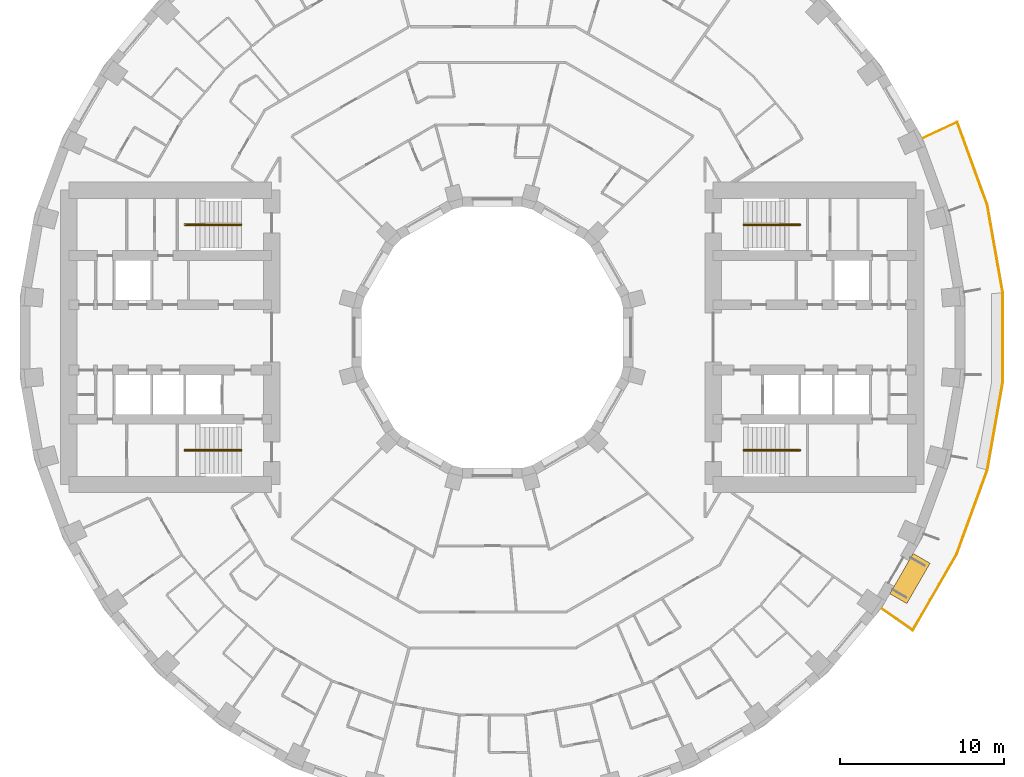
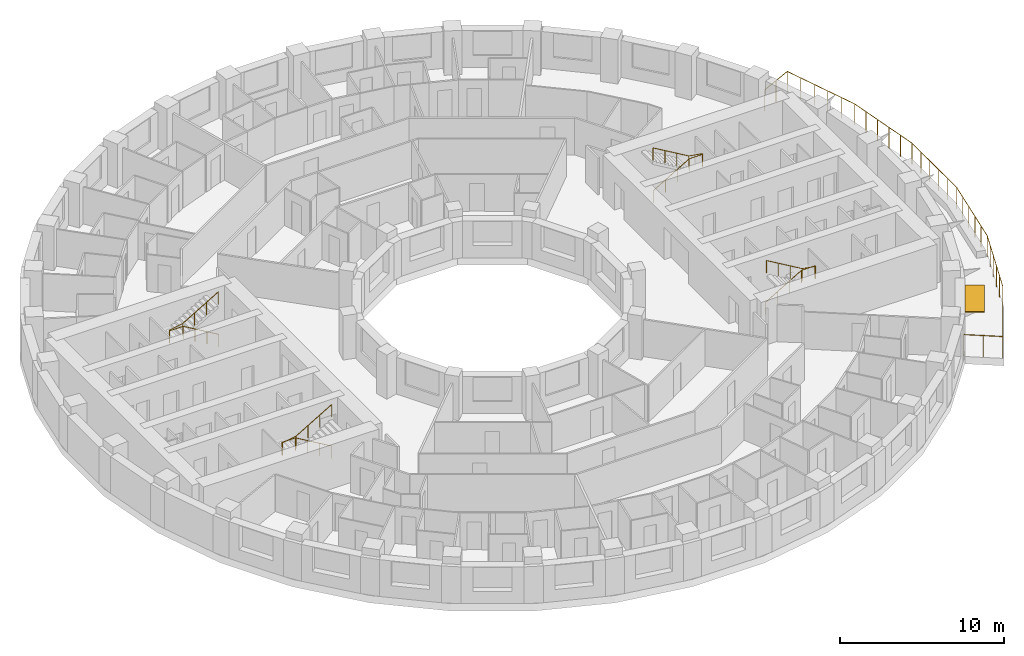
# One storey, part 14 of 14: 5 railings, 1 shading device.
"""IFC4 building model written with IfcOpenShell, lengths in metres."""

from ifc_helpers import new_model, si_unit, direction, frame, origin, origin_2d, place, context, subcontext, project, spatial, rectangle, circle, extrude, material, layer, layer_set, type_object, element, save


model = new_model("IFC4")

# Units and contexts
model_context = context("Model", 3, precision=1e-05, world=origin(), true_north=direction((0.0, 1.0)))
body_context = subcontext(model_context, "Body", "Model", "MODEL_VIEW")
ifc_project = project(units=[si_unit("LENGTHUNIT", "METRE"), si_unit("AREAUNIT", "SQUARE_METRE"), si_unit("VOLUMEUNIT", "CUBIC_METRE"), si_unit("PLANEANGLEUNIT", "RADIAN"), si_unit("MASSUNIT", "GRAM", prefix="KILO")], contexts=[model_context])

# Site, building, storey
site_placement = place(None, origin())
site = spatial("IfcSite", under=ifc_project, at=site_placement, CompositionType="ELEMENT")
building_placement = place(site_placement, origin())
building = spatial("IfcBuilding", under=site, at=building_placement, Name="Saqina Gate Tower", CompositionType="ELEMENT")
storey_placement = place(building_placement, frame((0.0, 0.0, 46.10009765625)))
storey = spatial("IfcBuildingStorey", under=building, at=storey_placement, Name="L12", CompositionType="ELEMENT", Elevation=46.10009765625)

# Shading device
ifc_material_1 = material(Name="Aluminium and fabric awning", Category="aluminium")
ifc_layer = layer(ifc_material_1, 0.050048828125)
ifc_layer_set = layer_set([ifc_layer], Name="AW-TERRACE")
shading_device_type = type_object("IfcShadingDeviceType", Name="AW-TERRACE", PredefinedType="AWNING", material=ifc_layer_set)
shading_device_placement = place(storey_placement, frame((25.538818359375, -14.744873046875, 2.52490234375), z_axis=(0.0, 0.0, 1.0), x_axis=(0.5, 0.866025403784, 0.0)))
element("IfcShadingDevice", 1, at=shading_device_placement, inside=storey, type_object=shading_device_type, Name="Terrace awning L12 facet 33", PredefinedType="AWNING", context=body_context, shape_type="SweptSolid", body=[
    extrude(rectangle(XDim=2.845703125, YDim=1.199951171875, at=origin_2d()), origin(), (0.0, 0.0, 1.0), 0.050048828125),
])

# Railings
ifc_material_2 = material(Name="Stainless steel", Category="steel")
railing_type_1 = type_object("IfcRailingType", Name="RL-TERRACE", PredefinedType="GUARDRAIL", material=ifc_material_2)
railing_1_placement = place(storey_placement, frame((23.752197265625, -16.53369140625, 0.0)))
element("IfcRailing", 2, at=railing_1_placement, inside=storey, type_object=railing_type_1, Name="Terrace guard L12", PredefinedType="GUARDRAIL", context=body_context, shape_type="SweptSolid", body=[
    extrude(circle(Radius=0.02392578125, at=origin_2d()), frame((0.0, 0.0, 1.576171875), z_axis=(0.819111872113, -0.573633803889, 0.0), x_axis=(0.573633803889, 0.819111872113, 0.0)), (0.0, 0.0, 1.0), 2.388916015625),
    extrude(circle(Radius=0.02392578125, at=origin_2d()), frame((1.956787109375, -1.370361328125, 1.576171875), z_axis=(0.49885293236, 0.866686651493, 0.0), x_axis=(-0.866686651493, 0.49885293236, 0.0)), (0.0, 0.0, 1.0), 5.381591796875),
    extrude(circle(Radius=0.02392578125, at=origin_2d()), frame((4.641357421875, 3.293701171875, 1.576171875), z_axis=(0.342048157644, 0.939682423935, 0.0), x_axis=(-0.939682423935, 0.342048157644, 0.0)), (0.0, 0.0, 1.0), 5.4609375),
    extrude(circle(Radius=0.02392578125, at=origin_2d()), frame((6.50927734375, 8.42529296875, 1.576171875), z_axis=(0.17364250929, 0.984808752483, 0.0), x_axis=(-0.984808752483, 0.17364250929, 0.0)), (0.0, 0.0, 1.0), 5.4609375),
    extrude(circle(Radius=0.02392578125, at=origin_2d()), frame((7.45751953125, 13.80322265625, 1.576171875), z_axis=(0.0, 1.0, 0.0), x_axis=(-1.0, 0.0, 0.0)), (0.0, 0.0, 1.0), 5.4609375),
    extrude(circle(Radius=0.02392578125, at=origin_2d()), frame((7.45751953125, 19.26416015625, 1.576171875), z_axis=(-0.17364250929, 0.984808752483, 0.0), x_axis=(-0.984808752483, -0.17364250929, 0.0)), (0.0, 0.0, 1.0), 5.4609375),
    extrude(circle(Radius=0.02392578125, at=origin_2d()), frame((6.50927734375, 24.64208984375, 1.576171875), z_axis=(-0.340810350952, 0.940132067682, 0.0), x_axis=(-0.940132067682, -0.340810350952, 0.0)), (0.0, 0.0, 1.0), 5.38134765625),
    extrude(circle(Radius=0.02392578125, at=origin_2d()), frame((4.67529296875, 29.701171875, 1.576171875), z_axis=(-0.906355396087, -0.422516148785, 0.0), x_axis=(0.422516148785, -0.906355396087, 0.0)), (0.0, 0.0, 1.0), 2.388671875),
    extrude(circle(Radius=0.02099609375, at=origin_2d()), origin(), (0.0, 0.0, 1.0), 1.552001953125),
    extrude(circle(Radius=0.02099609375, at=origin_2d()), frame((0.978515625, -0.68505859375, 0.0)), (0.0, 0.0, 1.0), 1.552001953125),
    extrude(circle(Radius=0.02099609375, at=origin_2d()), frame((1.956787109375, -1.370361328125, 0.0)), (0.0, 0.0, 1.0), 1.552001953125),
    extrude(circle(Radius=0.02099609375, at=origin_2d()), frame((2.49365234375, -0.4375, 0.0)), (0.0, 0.0, 1.0), 1.552001953125),
    extrude(circle(Radius=0.02099609375, at=origin_2d()), frame((3.030517578125, 0.495361328125, 0.0)), (0.0, 0.0, 1.0), 1.552001953125),
    extrude(circle(Radius=0.02099609375, at=origin_2d()), frame((3.567626953125, 1.427978515625, 0.0)), (0.0, 0.0, 1.0), 1.552001953125),
    extrude(circle(Radius=0.02099609375, at=origin_2d()), frame((4.1044921875, 2.36083984375, 0.0)), (0.0, 0.0, 1.0), 1.552001953125),
    extrude(circle(Radius=0.02099609375, at=origin_2d()), frame((4.641357421875, 3.293701171875, 0.0)), (0.0, 0.0, 1.0), 1.552001953125),
    extrude(circle(Radius=0.02099609375, at=origin_2d()), frame((5.014892578125, 4.320068359375, 0.0)), (0.0, 0.0, 1.0), 1.552001953125),
    extrude(circle(Radius=0.02099609375, at=origin_2d()), frame((5.388427734375, 5.346435546875, 0.0)), (0.0, 0.0, 1.0), 1.552001953125),
    extrude(circle(Radius=0.02099609375, at=origin_2d()), frame((5.76220703125, 6.37255859375, 0.0)), (0.0, 0.0, 1.0), 1.552001953125),
    extrude(circle(Radius=0.02099609375, at=origin_2d()), frame((6.1357421875, 7.39892578125, 0.0)), (0.0, 0.0, 1.0), 1.552001953125),
    extrude(circle(Radius=0.02099609375, at=origin_2d()), frame((6.50927734375, 8.42529296875, 0.0)), (0.0, 0.0, 1.0), 1.552001953125),
    extrude(circle(Radius=0.02099609375, at=origin_2d()), frame((6.698974609375, 9.5009765625, 0.0)), (0.0, 0.0, 1.0), 1.552001953125),
    extrude(circle(Radius=0.02099609375, at=origin_2d()), frame((6.888671875, 10.576416015625, 0.0)), (0.0, 0.0, 1.0), 1.552001953125),
    extrude(circle(Radius=0.02099609375, at=origin_2d()), frame((7.078125, 11.652099609375, 0.0)), (0.0, 0.0, 1.0), 1.552001953125),
    extrude(circle(Radius=0.02099609375, at=origin_2d()), frame((7.267822265625, 12.7275390625, 0.0)), (0.0, 0.0, 1.0), 1.552001953125),
    extrude(circle(Radius=0.02099609375, at=origin_2d()), frame((7.45751953125, 13.80322265625, 0.0)), (0.0, 0.0, 1.0), 1.552001953125),
    extrude(circle(Radius=0.02099609375, at=origin_2d()), frame((7.45751953125, 14.8955078125, 0.0)), (0.0, 0.0, 1.0), 1.552001953125),
    extrude(circle(Radius=0.02099609375, at=origin_2d()), frame((7.45751953125, 15.987548828125, 0.0)), (0.0, 0.0, 1.0), 1.552001953125),
    extrude(circle(Radius=0.02099609375, at=origin_2d()), frame((7.45751953125, 17.079833984375, 0.0)), (0.0, 0.0, 1.0), 1.552001953125),
    extrude(circle(Radius=0.02099609375, at=origin_2d()), frame((7.45751953125, 18.171875, 0.0)), (0.0, 0.0, 1.0), 1.552001953125),
    extrude(circle(Radius=0.02099609375, at=origin_2d()), frame((7.45751953125, 19.26416015625, 0.0)), (0.0, 0.0, 1.0), 1.552001953125),
    extrude(circle(Radius=0.02099609375, at=origin_2d()), frame((7.267822265625, 20.33984375, 0.0)), (0.0, 0.0, 1.0), 1.552001953125),
    extrude(circle(Radius=0.02099609375, at=origin_2d()), frame((7.078125, 21.415283203125, 0.0)), (0.0, 0.0, 1.0), 1.552001953125),
    extrude(circle(Radius=0.02099609375, at=origin_2d()), frame((6.888671875, 22.490966796875, 0.0)), (0.0, 0.0, 1.0), 1.552001953125),
    extrude(circle(Radius=0.02099609375, at=origin_2d()), frame((6.698974609375, 23.56640625, 0.0)), (0.0, 0.0, 1.0), 1.552001953125),
    extrude(circle(Radius=0.02099609375, at=origin_2d()), frame((6.50927734375, 24.64208984375, 0.0)), (0.0, 0.0, 1.0), 1.552001953125),
    extrude(circle(Radius=0.02099609375, at=origin_2d()), frame((6.142578125, 25.65380859375, 0.0)), (0.0, 0.0, 1.0), 1.552001953125),
    extrude(circle(Radius=0.02099609375, at=origin_2d()), frame((5.775634765625, 26.665771484375, 0.0)), (0.0, 0.0, 1.0), 1.552001953125),
    extrude(circle(Radius=0.02099609375, at=origin_2d()), frame((5.408935546875, 27.677490234375, 0.0)), (0.0, 0.0, 1.0), 1.552001953125),
    extrude(circle(Radius=0.02099609375, at=origin_2d()), frame((5.0419921875, 28.689453125, 0.0)), (0.0, 0.0, 1.0), 1.552001953125),
    extrude(circle(Radius=0.02099609375, at=origin_2d()), frame((4.67529296875, 29.701171875, 0.0)), (0.0, 0.0, 1.0), 1.552001953125),
    extrude(circle(Radius=0.02099609375, at=origin_2d()), frame((3.5927734375, 29.196533203125, 0.0)), (0.0, 0.0, 1.0), 1.552001953125),
    extrude(circle(Radius=0.02099609375, at=origin_2d()), frame((2.51025390625, 28.69189453125, 0.0)), (0.0, 0.0, 1.0), 1.552001953125),
])
ifc_material_3 = material(Name="Stainless steel", Category="steel")
railing_type_2 = type_object("IfcRailingType", Name="STAIR HANDRAIL", PredefinedType="HANDRAIL", material=ifc_material_3)
railing_2_placement = place(storey_placement, frame((15.35009765625, 6.86669921875, 0.164794921875)))
element("IfcRailing", 3, at=railing_2_placement, inside=storey, type_object=railing_type_2, Name="EXIT STAIR 1 HANDRAIL", PredefinedType="HANDRAIL", context=body_context, shape_type="SweptSolid", body=[
    extrude(circle(Radius=0.02392578125, at=origin_2d()), frame((0.0, 0.0, 0.92578125), z_axis=(0.86152411907, 0.0, 0.507716645641), x_axis=(0.0, 1.0, 0.0)), (0.0, 0.0, 1.0), 2.925048828125),
    extrude(circle(Radius=0.02392578125, at=origin_2d()), frame((2.52001953125, 0.0, 2.4111328125), z_axis=(1.0, 0.0, 0.0), x_axis=(0.0, 1.0, 0.0)), (0.0, 0.0, 1.0), 0.949951171875),
    extrude(circle(Radius=0.02392578125, at=origin_2d()), frame((3.469970703125, 0.0, 2.4111328125), z_axis=(0.0, 1.0, 0.0), x_axis=(-1.0, 0.0, 0.0)), (0.0, 0.0, 1.0), 0.066650390625),
    extrude(circle(Radius=0.02392578125, at=origin_2d()), frame((3.469970703125, 0.066650390625, 2.4111328125), z_axis=(-0.985241474778, 0.0, 0.171170197109), x_axis=(0.0, -1.0, 0.0)), (0.0, 0.0, 1.0), 0.964111328125),
    extrude(circle(Radius=0.02392578125, at=origin_2d()), frame((2.52001953125, 0.066650390625, 2.576171875), z_axis=(-0.861560626758, 0.0, 0.507654692109), x_axis=(0.0, -1.0, 0.0)), (0.0, 0.0, 1.0), 2.925048828125),
    extrude(circle(Radius=0.02099609375, at=origin_2d()), origin(), (0.0, 0.0, 1.0), 0.90185546875),
    extrude(circle(Radius=0.02099609375, at=origin_2d()), frame((0.840087890625, 0.0, 0.4951171875)), (0.0, 0.0, 1.0), 0.90185546875),
    extrude(circle(Radius=0.02099609375, at=origin_2d()), frame((1.679931640625, 0.0, 0.989990234375)), (0.0, 0.0, 1.0), 0.90185546875),
    extrude(circle(Radius=0.02099609375, at=origin_2d()), frame((2.52001953125, 0.0, 1.485107421875)), (0.0, 0.0, 1.0), 0.90185546875),
    extrude(circle(Radius=0.02099609375, at=origin_2d()), frame((3.469970703125, 0.0, 1.485107421875)), (0.0, 0.0, 1.0), 0.90185546875),
    extrude(circle(Radius=0.02099609375, at=origin_2d()), frame((3.469970703125, 0.066650390625, 1.485107421875)), (0.0, 0.0, 1.0), 0.90185546875),
    extrude(circle(Radius=0.02099609375, at=origin_2d()), frame((2.52001953125, 0.066650390625, 1.650146484375)), (0.0, 0.0, 1.0), 0.90185546875),
    extrude(circle(Radius=0.02099609375, at=origin_2d()), frame((1.679931640625, 0.066650390625, 2.14501953125)), (0.0, 0.0, 1.0), 0.90185546875),
    extrude(circle(Radius=0.02099609375, at=origin_2d()), frame((0.840087890625, 0.066650390625, 2.64013671875)), (0.0, 0.0, 1.0), 0.90185546875),
    extrude(circle(Radius=0.02099609375, at=origin_2d()), frame((0.0, 0.066650390625, 3.135009765625)), (0.0, 0.0, 1.0), 0.90185546875),
])
railing_3_placement = place(storey_placement, frame((15.35009765625, -6.86669921875, 0.164794921875)))
element("IfcRailing", 4, at=railing_3_placement, inside=storey, type_object=railing_type_2, Name="EXIT STAIR 2 HANDRAIL", PredefinedType="HANDRAIL", context=body_context, shape_type="SweptSolid", body=[
    extrude(circle(Radius=0.02392578125, at=origin_2d()), frame((0.0, 0.0, 0.92578125), z_axis=(0.86152411907, 0.0, 0.507716645641), x_axis=(0.0, 1.0, 0.0)), (0.0, 0.0, 1.0), 2.925048828125),
    extrude(circle(Radius=0.02392578125, at=origin_2d()), frame((2.52001953125, 0.0, 2.4111328125), z_axis=(1.0, 0.0, 0.0), x_axis=(0.0, 1.0, 0.0)), (0.0, 0.0, 1.0), 0.949951171875),
    extrude(circle(Radius=0.02392578125, at=origin_2d()), frame((3.469970703125, 0.0, 2.4111328125), z_axis=(0.0, -1.0, 0.0), x_axis=(1.0, 0.0, 0.0)), (0.0, 0.0, 1.0), 0.066650390625),
    extrude(circle(Radius=0.02392578125, at=origin_2d()), frame((3.469970703125, -0.066650390625, 2.4111328125), z_axis=(-0.985241474778, 0.0, 0.171170197109), x_axis=(0.0, -1.0, 0.0)), (0.0, 0.0, 1.0), 0.964111328125),
    extrude(circle(Radius=0.02392578125, at=origin_2d()), frame((2.52001953125, -0.066650390625, 2.576171875), z_axis=(-0.861560626758, 0.0, 0.507654692109), x_axis=(0.0, -1.0, 0.0)), (0.0, 0.0, 1.0), 2.925048828125),
    extrude(circle(Radius=0.02099609375, at=origin_2d()), origin(), (0.0, 0.0, 1.0), 0.90185546875),
    extrude(circle(Radius=0.02099609375, at=origin_2d()), frame((0.840087890625, 0.0, 0.4951171875)), (0.0, 0.0, 1.0), 0.90185546875),
    extrude(circle(Radius=0.02099609375, at=origin_2d()), frame((1.679931640625, 0.0, 0.989990234375)), (0.0, 0.0, 1.0), 0.90185546875),
    extrude(circle(Radius=0.02099609375, at=origin_2d()), frame((2.52001953125, 0.0, 1.485107421875)), (0.0, 0.0, 1.0), 0.90185546875),
    extrude(circle(Radius=0.02099609375, at=origin_2d()), frame((3.469970703125, 0.0, 1.485107421875)), (0.0, 0.0, 1.0), 0.90185546875),
    extrude(circle(Radius=0.02099609375, at=origin_2d()), frame((3.469970703125, -0.066650390625, 1.485107421875)), (0.0, 0.0, 1.0), 0.90185546875),
    extrude(circle(Radius=0.02099609375, at=origin_2d()), frame((2.52001953125, -0.066650390625, 1.650146484375)), (0.0, 0.0, 1.0), 0.90185546875),
    extrude(circle(Radius=0.02099609375, at=origin_2d()), frame((1.679931640625, -0.066650390625, 2.14501953125)), (0.0, 0.0, 1.0), 0.90185546875),
    extrude(circle(Radius=0.02099609375, at=origin_2d()), frame((0.840087890625, -0.066650390625, 2.64013671875)), (0.0, 0.0, 1.0), 0.90185546875),
    extrude(circle(Radius=0.02099609375, at=origin_2d()), frame((0.0, -0.066650390625, 3.135009765625)), (0.0, 0.0, 1.0), 0.90185546875),
])
railing_4_placement = place(storey_placement, frame((-15.35009765625, 6.86669921875, 0.164794921875)))
element("IfcRailing", 5, at=railing_4_placement, inside=storey, type_object=railing_type_2, Name="EXIT STAIR 3 HANDRAIL", PredefinedType="HANDRAIL", context=body_context, shape_type="SweptSolid", body=[
    extrude(circle(Radius=0.02392578125, at=origin_2d()), frame((0.0, 0.0, 0.92578125), z_axis=(-0.86152411907, 0.0, 0.507716645641), x_axis=(0.0, -1.0, 0.0)), (0.0, 0.0, 1.0), 2.925048828125),
    extrude(circle(Radius=0.02392578125, at=origin_2d()), frame((-2.52001953125, 0.0, 2.4111328125), z_axis=(-1.0, 0.0, 0.0), x_axis=(0.0, -1.0, 0.0)), (0.0, 0.0, 1.0), 0.949951171875),
    extrude(circle(Radius=0.02392578125, at=origin_2d()), frame((-3.469970703125, 0.0, 2.4111328125), z_axis=(0.0, 1.0, 0.0), x_axis=(-1.0, 0.0, 0.0)), (0.0, 0.0, 1.0), 0.066650390625),
    extrude(circle(Radius=0.02392578125, at=origin_2d()), frame((-3.469970703125, 0.066650390625, 2.4111328125), z_axis=(0.985241474778, 0.0, 0.171170197109), x_axis=(0.0, 1.0, 0.0)), (0.0, 0.0, 1.0), 0.964111328125),
    extrude(circle(Radius=0.02392578125, at=origin_2d()), frame((-2.52001953125, 0.066650390625, 2.576171875), z_axis=(0.861560626758, 0.0, 0.507654692109), x_axis=(0.0, 1.0, 0.0)), (0.0, 0.0, 1.0), 2.925048828125),
    extrude(circle(Radius=0.02099609375, at=origin_2d()), origin(), (0.0, 0.0, 1.0), 0.90185546875),
    extrude(circle(Radius=0.02099609375, at=origin_2d()), frame((-0.840087890625, 0.0, 0.4951171875)), (0.0, 0.0, 1.0), 0.90185546875),
    extrude(circle(Radius=0.02099609375, at=origin_2d()), frame((-1.679931640625, 0.0, 0.989990234375)), (0.0, 0.0, 1.0), 0.90185546875),
    extrude(circle(Radius=0.02099609375, at=origin_2d()), frame((-2.52001953125, 0.0, 1.485107421875)), (0.0, 0.0, 1.0), 0.90185546875),
    extrude(circle(Radius=0.02099609375, at=origin_2d()), frame((-3.469970703125, 0.0, 1.485107421875)), (0.0, 0.0, 1.0), 0.90185546875),
    extrude(circle(Radius=0.02099609375, at=origin_2d()), frame((-3.469970703125, 0.066650390625, 1.485107421875)), (0.0, 0.0, 1.0), 0.90185546875),
    extrude(circle(Radius=0.02099609375, at=origin_2d()), frame((-2.52001953125, 0.066650390625, 1.650146484375)), (0.0, 0.0, 1.0), 0.90185546875),
    extrude(circle(Radius=0.02099609375, at=origin_2d()), frame((-1.679931640625, 0.066650390625, 2.14501953125)), (0.0, 0.0, 1.0), 0.90185546875),
    extrude(circle(Radius=0.02099609375, at=origin_2d()), frame((-0.840087890625, 0.066650390625, 2.64013671875)), (0.0, 0.0, 1.0), 0.90185546875),
    extrude(circle(Radius=0.02099609375, at=origin_2d()), frame((0.0, 0.066650390625, 3.135009765625)), (0.0, 0.0, 1.0), 0.90185546875),
])
railing_5_placement = place(storey_placement, frame((-15.35009765625, -6.86669921875, 0.164794921875)))
element("IfcRailing", 6, at=railing_5_placement, inside=storey, type_object=railing_type_2, Name="EXIT STAIR 4 HANDRAIL", PredefinedType="HANDRAIL", context=body_context, shape_type="SweptSolid", body=[
    extrude(circle(Radius=0.02392578125, at=origin_2d()), frame((0.0, 0.0, 0.92578125), z_axis=(-0.86152411907, 0.0, 0.507716645641), x_axis=(0.0, -1.0, 0.0)), (0.0, 0.0, 1.0), 2.925048828125),
    extrude(circle(Radius=0.02392578125, at=origin_2d()), frame((-2.52001953125, 0.0, 2.4111328125), z_axis=(-1.0, 0.0, 0.0), x_axis=(0.0, -1.0, 0.0)), (0.0, 0.0, 1.0), 0.949951171875),
    extrude(circle(Radius=0.02392578125, at=origin_2d()), frame((-3.469970703125, 0.0, 2.4111328125), z_axis=(0.0, -1.0, 0.0), x_axis=(1.0, 0.0, 0.0)), (0.0, 0.0, 1.0), 0.066650390625),
    extrude(circle(Radius=0.02392578125, at=origin_2d()), frame((-3.469970703125, -0.066650390625, 2.4111328125), z_axis=(0.985241474778, 0.0, 0.171170197109), x_axis=(0.0, 1.0, 0.0)), (0.0, 0.0, 1.0), 0.964111328125),
    extrude(circle(Radius=0.02392578125, at=origin_2d()), frame((-2.52001953125, -0.066650390625, 2.576171875), z_axis=(0.861560626758, 0.0, 0.507654692109), x_axis=(0.0, 1.0, 0.0)), (0.0, 0.0, 1.0), 2.925048828125),
    extrude(circle(Radius=0.02099609375, at=origin_2d()), origin(), (0.0, 0.0, 1.0), 0.90185546875),
    extrude(circle(Radius=0.02099609375, at=origin_2d()), frame((-0.840087890625, 0.0, 0.4951171875)), (0.0, 0.0, 1.0), 0.90185546875),
    extrude(circle(Radius=0.02099609375, at=origin_2d()), frame((-1.679931640625, 0.0, 0.989990234375)), (0.0, 0.0, 1.0), 0.90185546875),
    extrude(circle(Radius=0.02099609375, at=origin_2d()), frame((-2.52001953125, 0.0, 1.485107421875)), (0.0, 0.0, 1.0), 0.90185546875),
    extrude(circle(Radius=0.02099609375, at=origin_2d()), frame((-3.469970703125, 0.0, 1.485107421875)), (0.0, 0.0, 1.0), 0.90185546875),
    extrude(circle(Radius=0.02099609375, at=origin_2d()), frame((-3.469970703125, -0.066650390625, 1.485107421875)), (0.0, 0.0, 1.0), 0.90185546875),
    extrude(circle(Radius=0.02099609375, at=origin_2d()), frame((-2.52001953125, -0.066650390625, 1.650146484375)), (0.0, 0.0, 1.0), 0.90185546875),
    extrude(circle(Radius=0.02099609375, at=origin_2d()), frame((-1.679931640625, -0.066650390625, 2.14501953125)), (0.0, 0.0, 1.0), 0.90185546875),
    extrude(circle(Radius=0.02099609375, at=origin_2d()), frame((-0.840087890625, -0.066650390625, 2.64013671875)), (0.0, 0.0, 1.0), 0.90185546875),
    extrude(circle(Radius=0.02099609375, at=origin_2d()), frame((0.0, -0.066650390625, 3.135009765625)), (0.0, 0.0, 1.0), 0.90185546875),
])

save(model, "model.ifc")
